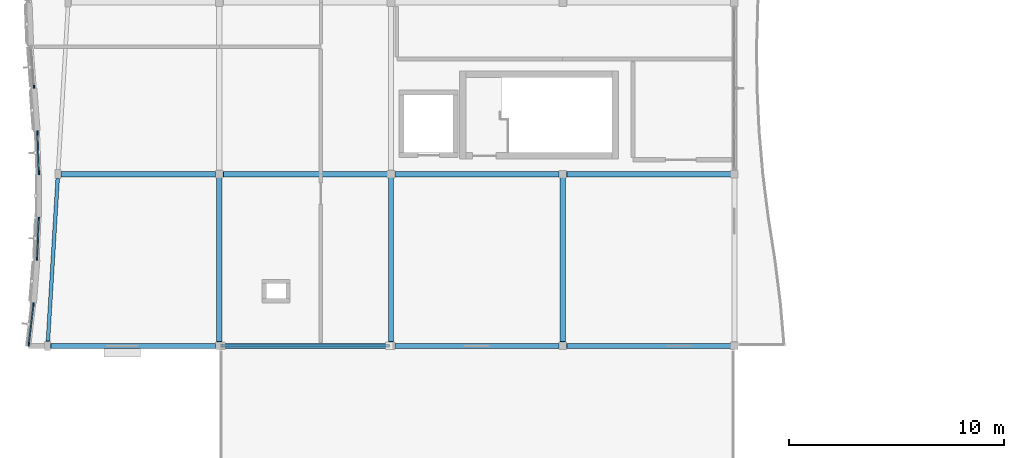
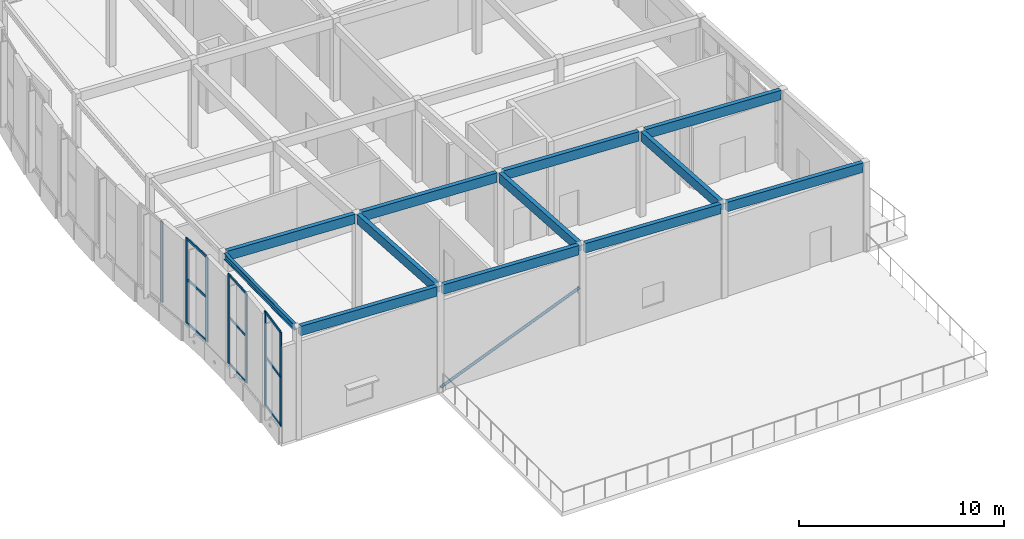
# One storey, part 4 of 52: 17 members, 12 beams, 4 elements without a shape of their own.
"""IFC4 building model written with IfcOpenShell, lengths in metres."""

from ifc_helpers import new_model, si_unit, direction, frame, origin, origin_2d, place, context, subcontext, project, spatial, rectangle, hollow_circle, i_section, extrude, material, layer, layer_set, material_profile, profile_set, type_object, element, aggregate, save


model = new_model("IFC4")

# Units and contexts
model_context = context("Model", 3, precision=1e-05, world=origin(), true_north=direction((0.0, 1.0)))
body_context = subcontext(model_context, "Body", "Model", "MODEL_VIEW")
ifc_project = project(units=[si_unit("LENGTHUNIT", "METRE"), si_unit("AREAUNIT", "SQUARE_METRE"), si_unit("VOLUMEUNIT", "CUBIC_METRE"), si_unit("PLANEANGLEUNIT", "RADIAN"), si_unit("MASSUNIT", "GRAM", prefix="KILO")], contexts=[model_context])

# Site, building, storey
site_placement = place(None, origin())
site = spatial("IfcSite", under=ifc_project, at=site_placement, CompositionType="ELEMENT")
building_placement = place(site_placement, origin())
building = spatial("IfcBuilding", under=site, at=building_placement, Name="Tonlespit Floodbar School", CompositionType="ELEMENT")
storey_placement = place(building_placement, frame((0.0, 0.0, 12.300048828125)))
storey = spatial("IfcBuildingStorey", under=building, at=storey_placement, Name="L03", CompositionType="ELEMENT", Elevation=12.300048828125)

# Beams
ifc_material_1 = material(Name="Glulam GL28h", Category="wood")
ifc_material_profile_1 = material_profile(ifc_material_1, rectangle(XDim=0.239990234375, YDim=0.56005859375, at=origin_2d()), Name="GL 240x560")
ifc_profile_set_1 = profile_set([ifc_material_profile_1], Name="Glulam GL28h")
beam_type_1 = type_object("IfcBeamType", Name="Beam_GL_240x560", PredefinedType="BEAM", material=ifc_profile_set_1)
beam_1_placement = place(storey_placement, frame((4.139892578125, 56.0, 6.343505859375), z_axis=(0.999092651874, 0.0, -0.042589587582), x_axis=(0.0, 1.0, 0.0)))
element("IfcBeam", 1, at=beam_1_placement, inside=storey, type_object=beam_type_1, Name="L03 girder 1143", PredefinedType="BEAM", context=body_context, shape_type="SweptSolid", body=[
    extrude(rectangle(XDim=0.239990234375, YDim=0.56005859375, at=origin_2d()), origin(), (0.0, 0.0, 1.0), 7.687255859375),
])
for number, where, z_axis, x_axis, name in (
    (2, (12.179931640625, 56.0, 6.000732421875), (0.999091305073, 0.0, -0.042621169945), (0.0, 1.0, 0.0), "L03 girder 1144"),
    (3, (20.179931640625, 56.0, 5.659423828125), (0.999092664052, 0.0, -0.042589301906), (0.0, 1.0, 0.0), "L03 girder 1145"),
    (4, (28.179931640625, 56.0, 5.318359375), (0.999091305073, 0.0, -0.042621169945), (0.0, 1.0, 0.0), "L03 girder 1146"),
):
    element("IfcBeam", number, at=place(storey_placement, frame(where, z_axis=z_axis, x_axis=x_axis)), inside=storey, type_object=beam_type_1, Name=name, PredefinedType="BEAM", context=body_context, shape_type="SweptSolid", body=[
        extrude(rectangle(XDim=0.239990234375, YDim=0.56005859375, at=origin_2d()), origin(), (0.0, 0.0, 1.0), 7.64697265625),
    ])
beam_2_placement = place(storey_placement, frame((4.6201171875, 64.0, 5.793701171875), z_axis=(0.999091426446, 0.0, -0.042618324725), x_axis=(0.0, 1.0, 0.0)))
element("IfcBeam", 5, at=beam_2_placement, inside=storey, type_object=beam_type_1, Name="L03 girder 1147", PredefinedType="BEAM", context=body_context, shape_type="SweptSolid", body=[
    extrude(rectangle(XDim=0.239990234375, YDim=0.56005859375, at=origin_2d()), origin(), (0.0, 0.0, 1.0), 7.20654296875),
])
for number, where, z_axis, x_axis, name in (
    (6, (12.179931640625, 64.0, 5.47119140625), (0.999092664052, 0.0, -0.042589301906), (0.0, 1.0, 0.0), "L03 girder 1148"),
    (7, (20.179931640625, 64.0, 5.130126953125), (0.999091305073, 0.0, -0.042621169945), (0.0, 1.0, 0.0), "L03 girder 1149"),
    (8, (28.179931640625, 64.0, 4.788818359375), (0.999092664052, 0.0, -0.042589301906), (0.0, 1.0, 0.0), "L03 girder 1150"),
):
    element("IfcBeam", number, at=place(storey_placement, frame(where, z_axis=z_axis, x_axis=x_axis)), inside=storey, type_object=beam_type_1, Name=name, PredefinedType="BEAM", context=body_context, shape_type="SweptSolid", body=[
        extrude(rectangle(XDim=0.239990234375, YDim=0.56005859375, at=origin_2d()), origin(), (0.0, 0.0, 1.0), 7.64697265625),
    ])
for number, where, z_axis, x_axis, name in (
    (9, (12.0, 56.179931640625, 5.996337890625), (0.0, 0.997819449107, -0.066002628608), (-1.0, 0.0, 0.0), "L03 girder 1203"),
    (10, (20.0, 56.179931640625, 5.6552734375), (0.0, 0.99781734868, -0.066034374932), (-1.0, 0.0, 0.0), "L03 girder 1208"),
    (11, (28.0, 56.179931640625, 5.31396484375), (0.0, 0.99781734868, -0.066034374932), (-1.0, 0.0, 0.0), "L03 girder 1213"),
):
    element("IfcBeam", number, at=place(storey_placement, frame(where, z_axis=z_axis, x_axis=x_axis)), inside=storey, type_object=beam_type_1, Name=name, PredefinedType="BEAM", context=body_context, shape_type="SweptSolid", body=[
        extrude(rectangle(XDim=0.239990234375, YDim=0.56005859375, at=origin_2d()), origin(), (0.0, 0.0, 1.0), 7.65673828125),
    ])

# Member
ifc_material_2 = material(Name="Steel S355", Category="steel")
ifc_material_profile_2 = material_profile(ifc_material_2, hollow_circle(Radius=0.084228515625, WallThickness=0.008056640625, at=origin_2d()), Name="CHS 168.3x8")
ifc_profile_set_2 = profile_set([ifc_material_profile_2], Name="Steel S355")
member_type_1 = type_object("IfcMemberType", Name="Brace_STL_CHS168", PredefinedType="BRACE", material=ifc_profile_set_2)
member_1_placement = place(storey_placement, frame((12.080078125, 56.0, 0.14990234375), z_axis=(0.92584702609, 0.0, 0.377898510556), x_axis=(0.0, 1.0, 0.0)))
element("IfcMember", 12, at=member_1_placement, inside=storey, type_object=member_type_1, Name="L03 exposed deconstructivist lateral brace 1", PredefinedType="BRACE", context=body_context, shape_type="SweptSolid", body=[
    extrude(hollow_circle(Radius=0.084228515625, WallThickness=0.008056640625, at=origin_2d()), origin(), (0.0, 0.0, 1.0), 8.4677734375),
])

# Curtain wall, members
ifc_material_3 = material(Name="Anodised Aluminium", Category="aluminium")
ifc_layer_1 = layer(ifc_material_3, 0.159912109375)
ifc_layer_set_1 = layer_set([ifc_layer_1], Name="Anodised Aluminium")
curtain_wall_type_1 = type_object("IfcCurtainWallType", Name="CurtainWall_1900x5350", PredefinedType="NOTDEFINED", material=ifc_layer_set_1)
curtain_wall_1_placement = place(storey_placement, origin())
curtain_wall_1 = element("IfcCurtainWall", 13, at=curtain_wall_1_placement, inside=storey, type_object=curtain_wall_type_1, Name="L03 unitised curtain wall 0300", PredefinedType="NOTDEFINED")
ifc_material_profile_3 = material_profile(ifc_material_3, rectangle(XDim=0.06494140625, YDim=0.14990234375, at=origin_2d()), Name="ALU M65x150")
ifc_profile_set_3 = profile_set([ifc_material_profile_3], Name="Anodised Aluminium")
member_type_2 = type_object("IfcMemberType", Name="CW_Mullion_65x150", PredefinedType="MULLION", material=ifc_profile_set_3)
member_2_placement = place(storey_placement, frame((3.511962890625, 60.072509765625, 0.949951171875), z_axis=(0.0, 0.0, 1.0), x_axis=(-0.999169480615, 0.040747380387, 0.0)))
member_2 = element("IfcMember", 14, at=member_2_placement, type_object=member_type_2, Name="CW-39 mullion 1", PredefinedType="MULLION", context=body_context, shape_type="SweptSolid", body=[
    extrude(rectangle(XDim=0.06494140625, YDim=0.14990234375, at=origin_2d()), origin(), (0.0, 0.0, 1.0), 5.330078125),
])
member_3_placement = place(storey_placement, frame((3.587646484375, 61.927490234375, 0.949951171875), z_axis=(0.0, 0.0, 1.0), x_axis=(-0.999169480615, 0.040747380387, 0.0)))
member_3 = element("IfcMember", 15, at=member_3_placement, type_object=member_type_2, Name="CW-39 mullion 2", PredefinedType="MULLION", context=body_context, shape_type="SweptSolid", body=[
    extrude(rectangle(XDim=0.06494140625, YDim=0.14990234375, at=origin_2d()), origin(), (0.0, 0.0, 1.0), 5.330078125),
])

# Curtain wall, member
ifc_layer_2 = layer(ifc_material_3, 0.159912109375)
ifc_layer_set_2 = layer_set([ifc_layer_2], Name="Anodised Aluminium")
curtain_wall_type_2 = type_object("IfcCurtainWallType", Name="CurtainWall_1950x4800", PredefinedType="NOTDEFINED", material=ifc_layer_set_2)
curtain_wall_2_placement = place(storey_placement, origin())
curtain_wall_2 = element("IfcCurtainWall", 16, at=curtain_wall_2_placement, inside=storey, type_object=curtain_wall_type_2, Name="L03 unitised curtain wall 0302", PredefinedType="NOTDEFINED")
member_4_placement = place(storey_placement, frame((3.364501953125, 68.072265625, 0.949951171875), z_axis=(0.0, 0.0, 1.0), x_axis=(-0.997129753565, -0.075711654028, 0.0)))
member_4 = element("IfcMember", 17, at=member_4_placement, type_object=member_type_2, Name="CW-41 mullion 1", PredefinedType="MULLION", context=body_context, shape_type="SweptSolid", body=[
    extrude(rectangle(XDim=0.06494140625, YDim=0.14990234375, at=origin_2d()), origin(), (0.0, 0.0, 1.0), 4.81640625),
])
aggregate(curtain_wall_2, [member_4])

# Curtain wall, members
ifc_layer_3 = layer(ifc_material_3, 0.159912109375)
ifc_layer_set_3 = layer_set([ifc_layer_3], Name="Anodised Aluminium")
curtain_wall_type_3 = type_object("IfcCurtainWallType", Name="CurtainWall_1950x5600", PredefinedType="NOTDEFINED", material=ifc_layer_set_3)
curtain_wall_3_placement = place(storey_placement, origin())
curtain_wall_3 = element("IfcCurtainWall", 18, at=curtain_wall_3_placement, inside=storey, type_object=curtain_wall_type_3, Name="L03 unitised curtain wall 0299", PredefinedType="NOTDEFINED")
ifc_material_profile_4 = material_profile(ifc_material_3, rectangle(XDim=0.06494140625, YDim=0.179931640625, at=origin_2d()), Name="ALU M65x180")
ifc_profile_set_4 = profile_set([ifc_material_profile_4], Name="Anodised Aluminium")
member_type_3 = type_object("IfcMemberType", Name="CW_Mullion_65x180", PredefinedType="MULLION", material=ifc_profile_set_4)
member_5_placement = place(storey_placement, frame((3.12353515625, 56.072021484375, 0.949951171875), z_axis=(0.0, 0.0, 1.0), x_axis=(-0.993135771716, 0.116967255837, 0.0)))
member_5 = element("IfcMember", 19, at=member_5_placement, type_object=member_type_3, Name="CW-38 mullion 1", PredefinedType="MULLION", context=body_context, shape_type="SweptSolid", body=[
    extrude(rectangle(XDim=0.06494140625, YDim=0.179931640625, at=origin_2d()), origin(), (0.0, 0.0, 1.0), 5.60498046875),
])
member_6_placement = place(storey_placement, frame((3.342041015625, 57.927978515625, 0.949951171875), z_axis=(0.0, 0.0, 1.0), x_axis=(-0.993135771716, 0.116967255837, 0.0)))
member_6 = element("IfcMember", 20, at=member_6_placement, type_object=member_type_3, Name="CW-38 mullion 2", PredefinedType="MULLION", context=body_context, shape_type="SweptSolid", body=[
    extrude(rectangle(XDim=0.06494140625, YDim=0.179931640625, at=origin_2d()), origin(), (0.0, 0.0, 1.0), 5.60498046875),
])

ifc_layer_4 = layer(ifc_material_3, 0.159912109375)
ifc_layer_set_4 = layer_set([ifc_layer_4], Name="Anodised Aluminium")
curtain_wall_type_4 = type_object("IfcCurtainWallType", Name="CurtainWall_1900x5050", PredefinedType="NOTDEFINED", material=ifc_layer_set_4)
curtain_wall_4_placement = place(storey_placement, origin())
curtain_wall_4 = element("IfcCurtainWall", 21, at=curtain_wall_4_placement, inside=storey, type_object=curtain_wall_type_4, Name="L03 unitised curtain wall 0301", PredefinedType="NOTDEFINED")
member_7_placement = place(storey_placement, frame((3.59228515625, 64.072509765625, 0.949951171875), z_axis=(0.0, 0.0, 1.0), x_axis=(-0.999332261205, -0.036538085803, 0.0)))
member_7 = element("IfcMember", 22, at=member_7_placement, type_object=member_type_3, Name="CW-40 mullion 1", PredefinedType="MULLION", context=body_context, shape_type="SweptSolid", body=[
    extrude(rectangle(XDim=0.06494140625, YDim=0.179931640625, at=origin_2d()), origin(), (0.0, 0.0, 1.0), 5.068115234375),
])
member_8_placement = place(storey_placement, frame((3.5244140625, 65.927490234375, 0.949951171875), z_axis=(0.0, 0.0, 1.0), x_axis=(-0.999332261205, -0.036538085803, 0.0)))
member_8 = element("IfcMember", 23, at=member_8_placement, type_object=member_type_3, Name="CW-40 mullion 2", PredefinedType="MULLION", context=body_context, shape_type="SweptSolid", body=[
    extrude(rectangle(XDim=0.06494140625, YDim=0.179931640625, at=origin_2d()), origin(), (0.0, 0.0, 1.0), 5.068115234375),
])

# Member
ifc_material_profile_5 = material_profile(ifc_material_3, rectangle(XDim=0.06494140625, YDim=0.1201171875, at=origin_2d()), Name="ALU T65x120")
ifc_profile_set_5 = profile_set([ifc_material_profile_5], Name="Anodised Aluminium")
member_type_4 = type_object("IfcMemberType", Name="CW_Transom_65x120", PredefinedType="USERDEFINED", material=ifc_profile_set_5)
member_9_placement = place(storey_placement, frame((3.513427734375, 60.10498046875, 0.982421875), z_axis=(0.040746274984, 0.999169525694, 0.0), x_axis=(-0.999169525694, 0.040746274984, 0.0)))
member_9 = element("IfcMember", 24, at=member_9_placement, type_object=member_type_4, Name="CW-39 transom 1.1", ObjectType="TRANSOM", PredefinedType="USERDEFINED", context=body_context, shape_type="SweptSolid", body=[
    extrude(rectangle(XDim=0.06494140625, YDim=0.1201171875, at=origin_2d()), origin(), (0.0, 0.0, 1.0), 1.79150390625),
])

member_10_placement = place(storey_placement, frame((3.513427734375, 60.10498046875, 3.721435546875), z_axis=(0.040746274984, 0.999169525694, 0.0), x_axis=(-0.999169525694, 0.040746274984, 0.0)))
member_10 = element("IfcMember", 25, at=member_10_placement, type_object=member_type_4, Name="CW-39 transom 1.2", ObjectType="TRANSOM", PredefinedType="USERDEFINED", context=body_context, shape_type="SweptSolid", body=[
    extrude(rectangle(XDim=0.06494140625, YDim=0.1201171875, at=origin_2d()), origin(), (0.0, 0.0, 1.0), 1.79150390625),
])

member_11_placement = place(storey_placement, frame((3.513427734375, 60.10498046875, 6.24755859375), z_axis=(0.040746274984, 0.999169525694, 0.0), x_axis=(-0.999169525694, 0.040746274984, 0.0)))
member_11 = element("IfcMember", 26, at=member_11_placement, type_object=member_type_4, Name="CW-39 transom 1.3", ObjectType="TRANSOM", PredefinedType="USERDEFINED", context=body_context, shape_type="SweptSolid", body=[
    extrude(rectangle(XDim=0.06494140625, YDim=0.1201171875, at=origin_2d()), origin(), (0.0, 0.0, 1.0), 1.79150390625),
])

aggregate(curtain_wall_1, [member_2, member_3, member_9, member_10, member_11])

ifc_material_profile_6 = material_profile(ifc_material_3, rectangle(XDim=0.06494140625, YDim=0.139892578125, at=origin_2d()), Name="ALU T65x140")
ifc_profile_set_6 = profile_set([ifc_material_profile_6], Name="Anodised Aluminium")
member_type_5 = type_object("IfcMemberType", Name="CW_Transom_65x140", PredefinedType="USERDEFINED", material=ifc_profile_set_6)
member_12_placement = place(storey_placement, frame((3.127197265625, 56.104248046875, 0.982421875), z_axis=(0.117068966489, 0.993123787393, 0.0), x_axis=(-0.993123787393, 0.117068966489, 0.0)))
member_12 = element("IfcMember", 27, at=member_12_placement, type_object=member_type_5, Name="CW-38 transom 1.1", ObjectType="TRANSOM", PredefinedType="USERDEFINED", context=body_context, shape_type="SweptSolid", body=[
    extrude(rectangle(XDim=0.06494140625, YDim=0.139892578125, at=origin_2d()), origin(), (0.0, 0.0, 1.0), 1.803955078125),
])

member_13_placement = place(storey_placement, frame((3.127197265625, 56.104248046875, 3.864501953125), z_axis=(0.117068966489, 0.993123787393, 0.0), x_axis=(-0.993123787393, 0.117068966489, 0.0)))
member_13 = element("IfcMember", 28, at=member_13_placement, type_object=member_type_5, Name="CW-38 transom 1.2", ObjectType="TRANSOM", PredefinedType="USERDEFINED", context=body_context, shape_type="SweptSolid", body=[
    extrude(rectangle(XDim=0.06494140625, YDim=0.139892578125, at=origin_2d()), origin(), (0.0, 0.0, 1.0), 1.803955078125),
])

member_14_placement = place(storey_placement, frame((3.127197265625, 56.104248046875, 6.5224609375), z_axis=(0.117068966489, 0.993123787393, 0.0), x_axis=(-0.993123787393, 0.117068966489, 0.0)))
member_14 = element("IfcMember", 29, at=member_14_placement, type_object=member_type_5, Name="CW-38 transom 1.3", ObjectType="TRANSOM", PredefinedType="USERDEFINED", context=body_context, shape_type="SweptSolid", body=[
    extrude(rectangle(XDim=0.06494140625, YDim=0.139892578125, at=origin_2d()), origin(), (0.0, 0.0, 1.0), 1.803955078125),
])

aggregate(curtain_wall_3, [member_5, member_6, member_12, member_13, member_14])

member_15_placement = place(storey_placement, frame((3.591064453125, 64.10498046875, 0.982421875), z_axis=(-0.036527706995, 0.999332640627, 0.0), x_axis=(-0.999332640627, -0.036527706995, 0.0)))
member_15 = element("IfcMember", 30, at=member_15_placement, type_object=member_type_5, Name="CW-40 transom 1.1", ObjectType="TRANSOM", PredefinedType="USERDEFINED", context=body_context, shape_type="SweptSolid", body=[
    extrude(rectangle(XDim=0.06494140625, YDim=0.139892578125, at=origin_2d()), origin(), (0.0, 0.0, 1.0), 1.791259765625),
])

member_16_placement = place(storey_placement, frame((3.591064453125, 64.10498046875, 3.58544921875), z_axis=(-0.036527706995, 0.999332640627, 0.0), x_axis=(-0.999332640627, -0.036527706995, 0.0)))
member_16 = element("IfcMember", 31, at=member_16_placement, type_object=member_type_5, Name="CW-40 transom 1.2", ObjectType="TRANSOM", PredefinedType="USERDEFINED", context=body_context, shape_type="SweptSolid", body=[
    extrude(rectangle(XDim=0.06494140625, YDim=0.139892578125, at=origin_2d()), origin(), (0.0, 0.0, 1.0), 1.791259765625),
])

member_17_placement = place(storey_placement, frame((3.591064453125, 64.10498046875, 5.985595703125), z_axis=(-0.036527706995, 0.999332640627, 0.0), x_axis=(-0.999332640627, -0.036527706995, 0.0)))
member_17 = element("IfcMember", 32, at=member_17_placement, type_object=member_type_5, Name="CW-40 transom 1.3", ObjectType="TRANSOM", PredefinedType="USERDEFINED", context=body_context, shape_type="SweptSolid", body=[
    extrude(rectangle(XDim=0.06494140625, YDim=0.139892578125, at=origin_2d()), origin(), (0.0, 0.0, 1.0), 1.791259765625),
])

aggregate(curtain_wall_4, [member_7, member_8, member_15, member_16, member_17])

# Beam
ifc_material_profile_7 = material_profile(ifc_material_2, i_section(OverallWidth=0.169921875, OverallDepth=0.360107421875, WebThickness=0.008056640625, FlangeThickness=0.0126953125, at=origin_2d()), Name="IPE 360")
ifc_profile_set_7 = profile_set([ifc_material_profile_7], Name="Steel S355")
beam_type_2 = type_object("IfcBeamType", Name="Spandrel_STL_IPE360", PredefinedType="SPANDREL", material=ifc_profile_set_7)
beam_3_placement = place(storey_placement, frame((4.0126953125, 56.209716796875, 6.43505859375), z_axis=(0.059719884034, 0.995865950186, -0.068443733903), x_axis=(-0.998206766935, 0.05986025765, 0.0)))
element("IfcBeam", 33, at=beam_3_placement, inside=storey, type_object=beam_type_2, Name="L03 splayed edge spandrel 1243", PredefinedType="SPANDREL", context=body_context, shape_type="SweptSolid", body=[
    extrude(i_section(OverallWidth=0.169921875, OverallDepth=0.360107421875, WebThickness=0.008056640625, FlangeThickness=0.0126953125, at=origin_2d()), origin(), (0.0, 0.0, 1.0), 7.612060546875),
])

save(model, "model.ifc")
